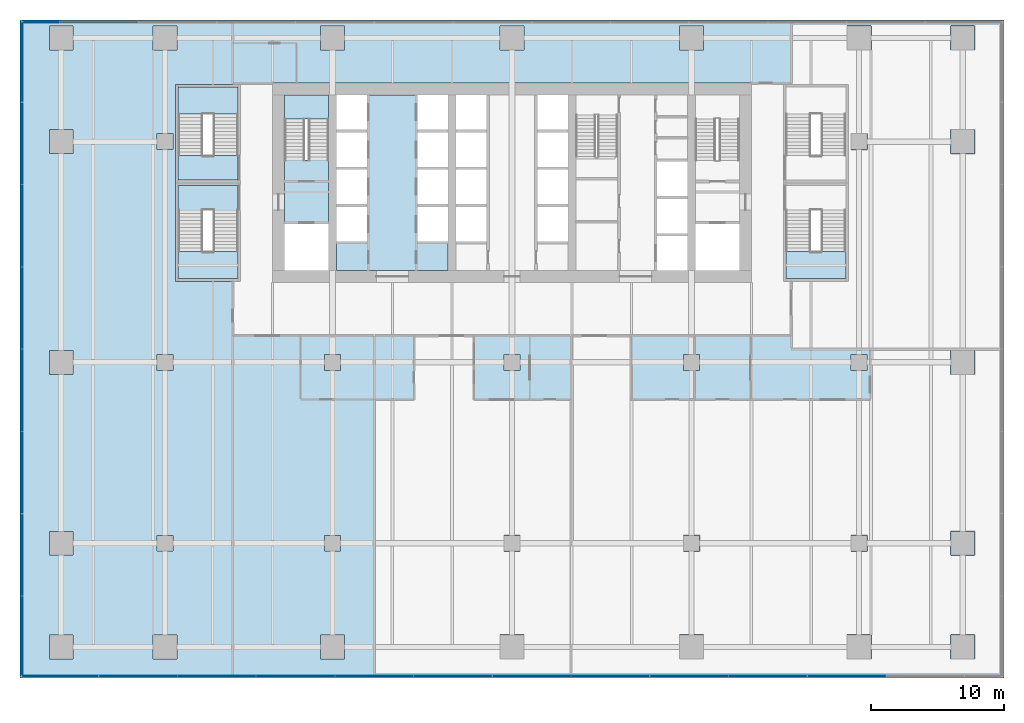
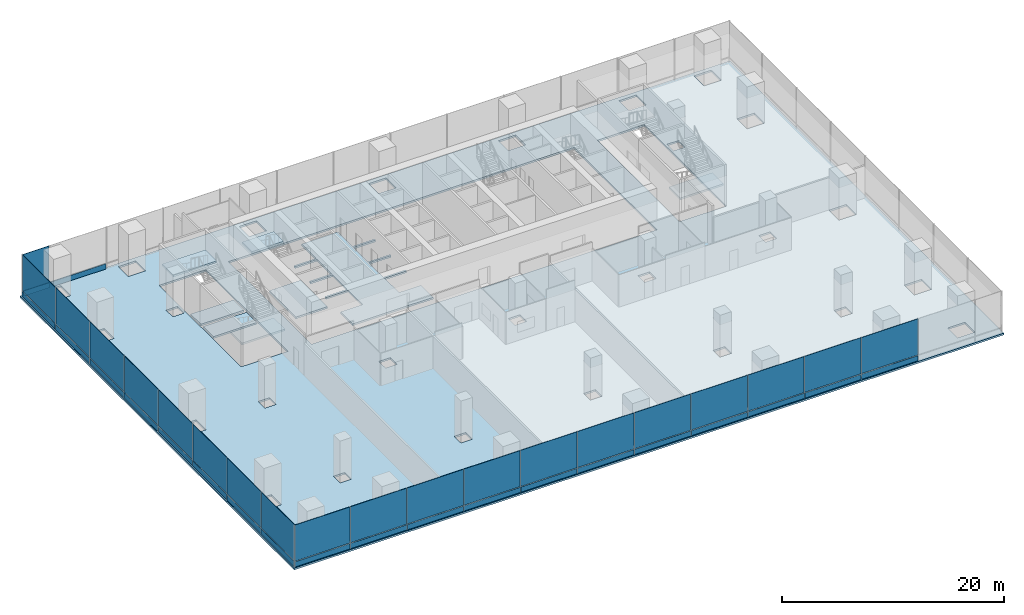
# One storey, part 17 of 29: 41 plates, 9 slabs, 7 elements without a shape of their own.
"""IFC4 building model written with IfcOpenShell, lengths in metres."""

from ifc_helpers import new_model, si_unit, direction, frame, origin, origin_2d, place, context, subcontext, project, spatial, polyline, rectangle, outline, extrude, material, layer, layer_set, type_object, element, aggregate, save


model = new_model("IFC4")

# Units and contexts
model_context = context("Model", 3, precision=1e-05, world=origin(), true_north=direction((0.0, 1.0)))
body_context = subcontext(model_context, "Body", "Model", "MODEL_VIEW")
ifc_project = project(units=[si_unit("LENGTHUNIT", "METRE"), si_unit("AREAUNIT", "SQUARE_METRE"), si_unit("VOLUMEUNIT", "CUBIC_METRE"), si_unit("PLANEANGLEUNIT", "RADIAN"), si_unit("MASSUNIT", "GRAM", prefix="KILO")], contexts=[model_context])

# Site, building, storey
site_placement = place(None, origin())
site = spatial("IfcSite", under=ifc_project, at=site_placement, CompositionType="ELEMENT")
building_placement = place(site_placement, origin())
building = spatial("IfcBuilding", under=site, at=building_placement, Name="Rattan Terrace Tower", CompositionType="ELEMENT")
storey_placement = place(building_placement, frame((0.0, 0.0, 12.60009765625)))
storey = spatial("IfcBuildingStorey", under=building, at=storey_placement, Name="L02", CompositionType="ELEMENT", Elevation=12.60009765625)

# Stair, slab
ifc_material_1 = material(Name="Concrete C40/50", Category="concrete")
stair_type_1 = type_object("IfcStairType", Name="Core exit stair 1500", PredefinedType="HALF_TURN_STAIR", material=ifc_material_1)
stair_1_placement = place(storey_placement, origin())
stair_1 = element("IfcStair", 1, at=stair_1_placement, inside=storey, type_object=stair_type_1, Name="L02 exit stair 1", PredefinedType="HALF_TURN_STAIR")
ifc_material_2 = material(Name="Concrete C40/50", Category="concrete")
ifc_layer_1 = layer(ifc_material_2, 0.199951171875)
ifc_layer_set_1 = layer_set([ifc_layer_1], Name="Core exit stair landing")
slab_type_1 = type_object("IfcSlabType", Name="Core exit stair landing", PredefinedType="LANDING", material=ifc_layer_set_1)
slab_1_placement = place(storey_placement, frame((0.0, 0.0, 2.199951171875)))
slab_1 = element("IfcSlab", 2, at=slab_1_placement, type_object=slab_type_1, Name="S1 landing 1", PredefinedType="LANDING", context=body_context, shape_type="SweptSolid", body=[
    extrude(outline(polyline([(-13.800048828125, 4.820068359375), (-13.800048828125, 6.60009765625), (-17.10009765625, 6.60009765625), (-17.10009765625, 4.820068359375), (-13.800048828125, 4.820068359375)])), origin(), (0.0, 0.0, 1.0), 0.199951171875),
])
aggregate(stair_1, [slab_1])

ifc_material_3 = material(Name="Concrete C40/50", Category="concrete")
stair_type_2 = type_object("IfcStairType", Name="Core exit stair 1850", PredefinedType="HALF_TURN_STAIR", material=ifc_material_3)
stair_2_placement = place(storey_placement, origin())
stair_2 = element("IfcStair", 3, at=stair_2_placement, inside=storey, type_object=stair_type_2, Name="L02 exit stair 4", PredefinedType="HALF_TURN_STAIR")
slab_2_placement = place(storey_placement, frame((0.0, 0.0, 2.199951171875)))
slab_2 = element("IfcSlab", 4, at=slab_2_placement, type_object=slab_type_1, Name="S4 landing 1", PredefinedType="LANDING", context=body_context, shape_type="SweptSolid", body=[
    extrude(outline(polyline([(-25.10009765625, -5.169921875), (-25.10009765625, -7.199951171875), (-20.60009765625, -7.199951171875), (-20.60009765625, -5.169921875), (-25.10009765625, -5.169921875)])), origin(), (0.0, 0.0, 1.0), 0.199951171875),
])
aggregate(stair_2, [slab_2])

stair_3_placement = place(storey_placement, origin())
stair_3 = element("IfcStair", 5, at=stair_3_placement, inside=storey, type_object=stair_type_2, Name="L02 exit stair 5", PredefinedType="HALF_TURN_STAIR")
slab_3_placement = place(storey_placement, frame((0.0, 0.0, 2.199951171875)))
slab_3 = element("IfcSlab", 6, at=slab_3_placement, type_object=slab_type_1, Name="S5 landing 1", PredefinedType="LANDING", context=body_context, shape_type="SweptSolid", body=[
    extrude(outline(polyline([(-20.60009765625, 5.169921875), (-20.60009765625, 7.199951171875), (-25.10009765625, 7.199951171875), (-25.10009765625, 5.169921875), (-20.60009765625, 5.169921875)])), origin(), (0.0, 0.0, 1.0), 0.199951171875),
])
aggregate(stair_3, [slab_3])

stair_4_placement = place(storey_placement, origin())
stair_4 = element("IfcStair", 7, at=stair_4_placement, inside=storey, type_object=stair_type_2, Name="L02 exit stair 6", PredefinedType="HALF_TURN_STAIR")
slab_4_placement = place(storey_placement, frame((0.0, 0.0, 2.199951171875)))
slab_4 = element("IfcSlab", 8, at=slab_4_placement, type_object=slab_type_1, Name="S6 landing 1", PredefinedType="LANDING", context=body_context, shape_type="SweptSolid", body=[
    extrude(outline(polyline([(20.60009765625, -5.169921875), (20.60009765625, -7.199951171875), (25.10009765625, -7.199951171875), (25.10009765625, -5.169921875), (20.60009765625, -5.169921875)])), origin(), (0.0, 0.0, 1.0), 0.199951171875),
])
aggregate(stair_4, [slab_4])

# Slabs
ifc_material_4 = material(Name="Concrete C35/45", Category="concrete")
ifc_layer_2 = layer(ifc_material_4, 0.199951171875)
ifc_layer_set_2 = layer_set([ifc_layer_2], Name="Frame composite floor slab 200")
slab_type_2 = type_object("IfcSlabType", Name="Frame composite floor slab 200", PredefinedType="FLOOR", material=ifc_layer_set_2)
slab_5_placement = place(storey_placement, frame((0.0, 0.0, -0.2001953125)))
element("IfcSlab", 9, at=slab_5_placement, inside=storey, type_object=slab_type_2, Name="Floor slab", PredefinedType="FLOOR", context=body_context, shape_type="SweptSolid", body=[
    extrude(outline(polyline([(-37.0, -37.25), (37.0, -37.25), (37.0, 12.25), (-37.0, 12.25), (-37.0, -37.25)]), holes=[polyline([(-34.800048828125, -34.0), (-34.800048828125, -35.800048828125), (-33.0, -35.800048828125), (-33.0, -34.0), (-34.800048828125, -34.0)]), polyline([(-14.39990234375, -34.0), (-14.39990234375, -35.800048828125), (-12.60009765625, -35.800048828125), (-12.60009765625, -34.0), (-14.39990234375, -34.0)]), polyline([(-27.0, -34.0), (-27.0, -35.800048828125), (-25.199951171875, -35.800048828125), (-25.199951171875, -34.0), (-27.0, -34.0)]), polyline([(-12.89990234375, -26.5), (-14.10009765625, -26.5), (-14.10009765625, -27.699951171875), (-12.89990234375, -27.699951171875), (-12.89990234375, -26.5)]), polyline([(-25.5, -26.5), (-26.699951171875, -26.5), (-26.699951171875, -27.699951171875), (-25.5, -27.699951171875), (-25.5, -26.5)]), polyline([(-34.800048828125, -28.0), (-33.0, -28.0), (-33.0, -26.199951171875), (-34.800048828125, -26.199951171875), (-34.800048828125, -28.0)]), polyline([(-34.800048828125, -14.39990234375), (-33.0, -14.39990234375), (-33.0, -12.60009765625), (-34.800048828125, -12.60009765625), (-34.800048828125, -14.39990234375)]), polyline([(-14.10009765625, -12.89990234375), (-14.10009765625, -14.10009765625), (-12.89990234375, -14.10009765625), (-12.89990234375, -12.89990234375), (-14.10009765625, -12.89990234375)]), polyline([(-25.5, -12.89990234375), (-26.699951171875, -12.89990234375), (-26.699951171875, -14.10009765625), (-25.5, -14.10009765625), (-25.5, -12.89990234375)]), polyline([(-25.10009765625, -7.39990234375), (-20.60009765625, -7.39990234375), (-20.60009765625, -7.39990234375), (-20.39990234375, -7.39990234375), (-20.39990234375, 0.0), (-20.39990234375, 7.39990234375), (-20.60009765625, 7.39990234375), (-20.60009765625, 7.39990234375), (-25.10009765625, 7.39990234375), (-25.10009765625, 7.39990234375), (-25.300048828125, 7.39990234375), (-25.300048828125, 0.0), (-25.300048828125, -7.39990234375), (-25.10009765625, -7.39990234375), (-25.10009765625, -7.39990234375)]), polyline([(18.0, -6.60009765625), (18.0, 6.60009765625), (18.0, 7.5), (-18.0, 7.5), (-18.0, 6.60009765625), (-18.0, -6.60009765625), (-18.0, -7.5), (18.0, -7.5), (18.0, -6.60009765625)]), polyline([(-26.699951171875, 3.699951171875), (-26.699951171875, 2.5), (-25.5, 2.5), (-25.5, 3.699951171875), (-26.699951171875, 3.699951171875)]), polyline([(-34.800048828125, 4.0), (-34.800048828125, 2.199951171875), (-33.0, 2.199951171875), (-33.0, 4.0), (-34.800048828125, 4.0)]), polyline([(-25.199951171875, 11.800048828125), (-27.0, 11.800048828125), (-27.0, 10.0), (-25.199951171875, 10.0), (-25.199951171875, 11.800048828125)]), polyline([(-14.39990234375, 11.800048828125), (-14.39990234375, 10.0), (-12.60009765625, 10.0), (-12.60009765625, 11.800048828125), (-14.39990234375, 11.800048828125)]), polyline([(-34.800048828125, 11.800048828125), (-34.800048828125, 10.0), (-33.0, 10.0), (-33.0, 11.800048828125), (-34.800048828125, 11.800048828125)]), polyline([(-0.89990234375, -34.0), (-0.89990234375, -35.800048828125), (0.89990234375, -35.800048828125), (0.89990234375, -34.0), (-0.89990234375, -34.0)]), polyline([(0.60009765625, -26.5), (-0.60009765625, -26.5), (-0.60009765625, -27.699951171875), (0.60009765625, -27.699951171875), (0.60009765625, -26.5)]), polyline([(0.60009765625, -12.89990234375), (-0.60009765625, -12.89990234375), (-0.60009765625, -14.10009765625), (0.60009765625, -14.10009765625), (0.60009765625, -12.89990234375)]), polyline([(0.89990234375, 11.800048828125), (-0.89990234375, 11.800048828125), (-0.89990234375, 10.0), (0.89990234375, 10.0), (0.89990234375, 11.800048828125)]), polyline([(34.800048828125, -34.0), (33.0, -34.0), (33.0, -35.800048828125), (34.800048828125, -35.800048828125), (34.800048828125, -34.0)]), polyline([(25.199951171875, -34.0), (25.199951171875, -35.800048828125), (27.0, -35.800048828125), (27.0, -34.0), (25.199951171875, -34.0)]), polyline([(14.39990234375, -34.0), (12.60009765625, -34.0), (12.60009765625, -35.800048828125), (14.39990234375, -35.800048828125), (14.39990234375, -34.0)]), polyline([(14.10009765625, -26.5), (12.89990234375, -26.5), (12.89990234375, -27.699951171875), (14.10009765625, -27.699951171875), (14.10009765625, -26.5)]), polyline([(33.0, -28.0), (34.800048828125, -28.0), (34.800048828125, -26.199951171875), (33.0, -26.199951171875), (33.0, -28.0)]), polyline([(26.699951171875, -26.5), (25.5, -26.5), (25.5, -27.699951171875), (26.699951171875, -27.699951171875), (26.699951171875, -26.5)]), polyline([(33.0, -12.60009765625), (33.0, -14.39990234375), (34.800048828125, -14.39990234375), (34.800048828125, -12.60009765625), (33.0, -12.60009765625)]), polyline([(12.89990234375, -12.89990234375), (12.89990234375, -14.10009765625), (14.10009765625, -14.10009765625), (14.10009765625, -12.89990234375), (12.89990234375, -12.89990234375)]), polyline([(25.5, -12.89990234375), (25.5, -14.10009765625), (26.699951171875, -14.10009765625), (26.699951171875, -12.89990234375), (25.5, -12.89990234375)]), polyline([(20.60009765625, -7.39990234375), (20.60009765625, -7.39990234375), (25.10009765625, -7.39990234375), (25.10009765625, -7.39990234375), (25.300048828125, -7.39990234375), (25.300048828125, 0.0), (25.300048828125, 7.39990234375), (25.10009765625, 7.39990234375), (25.10009765625, 7.39990234375), (20.60009765625, 7.39990234375), (20.60009765625, 7.39990234375), (20.39990234375, 7.39990234375), (20.39990234375, 0.0), (20.39990234375, -7.39990234375), (20.60009765625, -7.39990234375)]), polyline([(25.5, 3.699951171875), (25.5, 2.5), (26.699951171875, 2.5), (26.699951171875, 3.699951171875), (25.5, 3.699951171875)]), polyline([(33.0, 2.199951171875), (34.800048828125, 2.199951171875), (34.800048828125, 4.0), (33.0, 4.0), (33.0, 2.199951171875)]), polyline([(25.199951171875, 11.800048828125), (25.199951171875, 10.0), (27.0, 10.0), (27.0, 11.800048828125), (25.199951171875, 11.800048828125)]), polyline([(34.800048828125, 11.800048828125), (33.0, 11.800048828125), (33.0, 10.0), (34.800048828125, 10.0), (34.800048828125, 11.800048828125)]), polyline([(14.39990234375, 11.800048828125), (12.60009765625, 11.800048828125), (12.60009765625, 10.0), (14.39990234375, 10.0), (14.39990234375, 11.800048828125)])]), origin(), (0.0, 0.0, 1.0), 0.2001953125),
])
slab_6_placement = place(storey_placement, frame((0.0, 0.0, -0.2001953125)))
element("IfcSlab", 10, at=slab_6_placement, inside=storey, type_object=slab_type_2, Name="Floor slab", PredefinedType="FLOOR", context=body_context, shape_type="SweptSolid", body=[
    extrude(outline(polyline([(-20.60009765625, 0.199951171875), (-20.60009765625, 2.06005859375), (-25.10009765625, 2.06005859375), (-25.10009765625, 0.199951171875), (-20.60009765625, 0.199951171875)])), origin(), (0.0, 0.0, 1.0), 0.2001953125),
])
slab_7_placement = place(storey_placement, frame((0.0, 0.0, -0.2001953125)))
element("IfcSlab", 11, at=slab_7_placement, inside=storey, type_object=slab_type_2, Name="Floor slab", PredefinedType="FLOOR", context=body_context, shape_type="SweptSolid", body=[
    extrude(outline(polyline([(-25.10009765625, -2.06005859375), (-20.60009765625, -2.06005859375), (-20.60009765625, -0.199951171875), (-25.10009765625, -0.199951171875), (-25.10009765625, -2.06005859375)])), origin(), (0.0, 0.0, 1.0), 0.2001953125),
])
slab_8_placement = place(storey_placement, frame((0.0, 0.0, -0.2001953125)))
element("IfcSlab", 12, at=slab_8_placement, inside=storey, type_object=slab_type_2, Name="Floor slab", PredefinedType="FLOOR", context=body_context, shape_type="SweptSolid", body=[
    extrude(outline(polyline([(-13.199951171875, 4.0), (-13.199951171875, 3.800048828125), (-10.89990234375, 3.800048828125), (-10.89990234375, 1.199951171875), (-13.199951171875, 1.199951171875), (-13.199951171875, 1.0), (-10.89990234375, 1.0), (-10.89990234375, -1.60009765625), (-13.199951171875, -1.60009765625), (-13.199951171875, -1.800048828125), (-10.89990234375, -1.800048828125), (-10.89990234375, -4.39990234375), (-13.199951171875, -4.39990234375), (-13.199951171875, -6.60009765625), (-4.800048828125, -6.60009765625), (-4.800048828125, -4.39990234375), (-7.10009765625, -4.39990234375), (-7.10009765625, -1.800048828125), (-4.800048828125, -1.800048828125), (-4.800048828125, -1.60009765625), (-7.10009765625, -1.60009765625), (-7.10009765625, 1.0), (-4.800048828125, 1.0), (-4.800048828125, 1.199951171875), (-7.10009765625, 1.199951171875), (-7.10009765625, 3.800048828125), (-4.800048828125, 3.800048828125), (-4.800048828125, 4.0), (-7.10009765625, 4.0), (-7.10009765625, 6.60009765625), (-10.89990234375, 6.60009765625), (-10.89990234375, 4.0), (-13.199951171875, 4.0)])), origin(), (0.0, 0.0, 1.0), 0.2001953125),
])
slab_9_placement = place(storey_placement, frame((0.0, 0.0, -0.2001953125)))
element("IfcSlab", 13, at=slab_9_placement, inside=storey, type_object=slab_type_2, Name="Floor slab", PredefinedType="FLOOR", context=body_context, shape_type="SweptSolid", body=[
    extrude(outline(polyline([(-17.10009765625, -3.10009765625), (-13.800048828125, -3.10009765625), (-13.800048828125, 1.7099609375), (-17.10009765625, 1.7099609375), (-17.10009765625, -3.10009765625)])), origin(), (0.0, 0.0, 1.0), 0.2001953125),
])

# Curtain wall, plates
ifc_material_5 = material(Name="Aluminium and glass", Category="aluminium")
ifc_layer_3 = layer(ifc_material_5, 0.1201171875)
ifc_layer_set_3 = layer_set([ifc_layer_3], Name="Station Storefront Curtain Wall")
curtain_wall_type = type_object("IfcCurtainWallType", Name="Station Storefront Curtain Wall", PredefinedType="NOTDEFINED", material=ifc_layer_set_3)
curtain_wall_1_placement = place(storey_placement, origin())
curtain_wall_1 = element("IfcCurtainWall", 14, at=curtain_wall_1_placement, inside=storey, type_object=curtain_wall_type, Name="Storefront curtain wall L02-2", PredefinedType="NOTDEFINED")
ifc_material_6 = material(Name="Granite bulkhead panel", Category="masonry")
ifc_layer_4 = layer(ifc_material_6, 0.110107421875)
ifc_layer_set_4 = layer_set([ifc_layer_4], Name="Storefront CW Stone Bulkhead Panel")
plate_type_1 = type_object("IfcPlateType", Name="Storefront CW Stone Bulkhead Panel", PredefinedType="CURTAIN_PANEL", material=ifc_layer_set_4)
plate_1_placement = place(storey_placement, frame((-31.080078125, 12.080078125, 0.0), z_axis=(0.0, 0.0, 1.0), x_axis=(-1.0, 0.0, 0.0)))
plate_1 = element("IfcPlate", 15, at=plate_1_placement, type_object=plate_type_1, Name="Panel cwl-L02-002.12.1", PredefinedType="CURTAIN_PANEL", context=body_context, shape_type="SweptSolid", body=[
    extrude(rectangle(XDim=5.8701171875, YDim=0.110107421875, at=origin_2d()), origin(), (0.0, 0.0, 1.0), 0.574951171875),
])
plate_2_placement = place(storey_placement, frame((-35.41748046875, 12.080078125, 0.0), z_axis=(0.0, 0.0, 1.0), x_axis=(-1.0, 0.0, 0.0)))
plate_2 = element("IfcPlate", 16, at=plate_2_placement, type_object=plate_type_1, Name="Panel cwl-L02-002.13.1", PredefinedType="CURTAIN_PANEL", context=body_context, shape_type="SweptSolid", body=[
    extrude(rectangle(XDim=2.705078125, YDim=0.110107421875, at=origin_2d()), origin(), (0.0, 0.0, 1.0), 0.574951171875),
])

curtain_wall_2_placement = place(storey_placement, origin())
curtain_wall_2 = element("IfcCurtainWall", 17, at=curtain_wall_2_placement, inside=storey, type_object=curtain_wall_type, Name="Storefront curtain wall L02-3", PredefinedType="NOTDEFINED")
plate_3_placement = place(storey_placement, frame((-36.830078125, 9.08837890625, 0.0), z_axis=(0.0, 0.0, 1.0), x_axis=(0.0, -1.0, 0.0)))
plate_3 = element("IfcPlate", 18, at=plate_3_placement, type_object=plate_type_1, Name="Panel cwl-L02-003.1.1", PredefinedType="CURTAIN_PANEL", context=body_context, shape_type="SweptSolid", body=[
    extrude(rectangle(XDim=6.0029296875, YDim=0.110107421875, at=origin_2d()), origin(), (0.0, 0.0, 1.0), 0.574951171875),
])
plate_4_placement = place(storey_placement, frame((-36.830078125, 2.968017578125, 0.0), z_axis=(0.0, 0.0, 1.0), x_axis=(0.0, -1.0, 0.0)))
plate_4 = element("IfcPlate", 19, at=plate_4_placement, type_object=plate_type_1, Name="Panel cwl-L02-003.2.1", PredefinedType="CURTAIN_PANEL", context=body_context, shape_type="SweptSolid", body=[
    extrude(rectangle(XDim=6.137939453125, YDim=0.110107421875, at=origin_2d()), origin(), (0.0, 0.0, 1.0), 0.574951171875),
])
plate_5_placement = place(storey_placement, frame((-36.830078125, -3.219970703125, 0.0), z_axis=(0.0, 0.0, 1.0), x_axis=(0.0, -1.0, 0.0)))
plate_5 = element("IfcPlate", 20, at=plate_5_placement, type_object=plate_type_1, Name="Panel cwl-L02-003.3.1", PredefinedType="CURTAIN_PANEL", context=body_context, shape_type="SweptSolid", body=[
    extrude(rectangle(XDim=6.137939453125, YDim=0.110107421875, at=origin_2d()), origin(), (0.0, 0.0, 1.0), 0.574951171875),
])
plate_6_placement = place(storey_placement, frame((-36.830078125, -9.407958984375, 0.0), z_axis=(0.0, 0.0, 1.0), x_axis=(0.0, -1.0, 0.0)))
plate_6 = element("IfcPlate", 21, at=plate_6_placement, type_object=plate_type_1, Name="Panel cwl-L02-003.4.1", PredefinedType="CURTAIN_PANEL", context=body_context, shape_type="SweptSolid", body=[
    extrude(rectangle(XDim=6.137939453125, YDim=0.110107421875, at=origin_2d()), origin(), (0.0, 0.0, 1.0), 0.574951171875),
])
plate_7_placement = place(storey_placement, frame((-36.830078125, -15.595947265625, 0.0), z_axis=(0.0, 0.0, 1.0), x_axis=(0.0, -1.0, 0.0)))
plate_7 = element("IfcPlate", 22, at=plate_7_placement, type_object=plate_type_1, Name="Panel cwl-L02-003.5.1", PredefinedType="CURTAIN_PANEL", context=body_context, shape_type="SweptSolid", body=[
    extrude(rectangle(XDim=6.137939453125, YDim=0.110107421875, at=origin_2d()), origin(), (0.0, 0.0, 1.0), 0.574951171875),
])
plate_8_placement = place(storey_placement, frame((-36.830078125, -21.783935546875, 0.0), z_axis=(0.0, 0.0, 1.0), x_axis=(0.0, -1.0, 0.0)))
plate_8 = element("IfcPlate", 23, at=plate_8_placement, type_object=plate_type_1, Name="Panel cwl-L02-003.6.1", PredefinedType="CURTAIN_PANEL", context=body_context, shape_type="SweptSolid", body=[
    extrude(rectangle(XDim=6.137939453125, YDim=0.110107421875, at=origin_2d()), origin(), (0.0, 0.0, 1.0), 0.574951171875),
])
plate_9_placement = place(storey_placement, frame((-36.830078125, -27.971923828125, 0.0), z_axis=(0.0, 0.0, 1.0), x_axis=(0.0, -1.0, 0.0)))
plate_9 = element("IfcPlate", 24, at=plate_9_placement, type_object=plate_type_1, Name="Panel cwl-L02-003.7.1", PredefinedType="CURTAIN_PANEL", context=body_context, shape_type="SweptSolid", body=[
    extrude(rectangle(XDim=6.137939453125, YDim=0.110107421875, at=origin_2d()), origin(), (0.0, 0.0, 1.0), 0.574951171875),
])
plate_10_placement = place(storey_placement, frame((-36.830078125, -34.055419921875, 0.0), z_axis=(0.0, 0.0, 1.0), x_axis=(0.0, -1.0, 0.0)))
plate_10 = element("IfcPlate", 25, at=plate_10_placement, type_object=plate_type_1, Name="Panel cwl-L02-003.8.1", PredefinedType="CURTAIN_PANEL", context=body_context, shape_type="SweptSolid", body=[
    extrude(rectangle(XDim=5.928955078125, YDim=0.110107421875, at=origin_2d()), origin(), (0.0, 0.0, 1.0), 0.574951171875),
])

curtain_wall_3_placement = place(storey_placement, origin())
curtain_wall_3 = element("IfcCurtainWall", 26, at=curtain_wall_3_placement, inside=storey, type_object=curtain_wall_type, Name="Storefront curtain wall L02-4", PredefinedType="NOTDEFINED")
plate_11_placement = place(storey_placement, frame((-33.972412109375, -37.080078125, 0.0), z_axis=(0.0, 0.0, 1.0), x_axis=(1.0, 0.0, 0.0)))
plate_11 = element("IfcPlate", 27, at=plate_11_placement, type_object=plate_type_1, Name="Panel cwl-L02-004.1.1", PredefinedType="CURTAIN_PANEL", context=body_context, shape_type="SweptSolid", body=[
    extrude(rectangle(XDim=5.735107421875, YDim=0.110107421875, at=origin_2d()), origin(), (0.0, 0.0, 1.0), 0.574951171875),
])
plate_12_placement = place(storey_placement, frame((-28.1201171875, -37.080078125, 0.0), z_axis=(0.0, 0.0, 1.0), x_axis=(1.0, 0.0, 0.0)))
plate_12 = element("IfcPlate", 28, at=plate_12_placement, type_object=plate_type_1, Name="Panel cwl-L02-004.2.1", PredefinedType="CURTAIN_PANEL", context=body_context, shape_type="SweptSolid", body=[
    extrude(rectangle(XDim=5.8701171875, YDim=0.110107421875, at=origin_2d()), origin(), (0.0, 0.0, 1.0), 0.574951171875),
])
plate_13_placement = place(storey_placement, frame((-22.199951171875, -37.080078125, 0.0), z_axis=(0.0, 0.0, 1.0), x_axis=(1.0, 0.0, 0.0)))
plate_13 = element("IfcPlate", 29, at=plate_13_placement, type_object=plate_type_1, Name="Panel cwl-L02-004.3.1", PredefinedType="CURTAIN_PANEL", context=body_context, shape_type="SweptSolid", body=[
    extrude(rectangle(XDim=5.8701171875, YDim=0.110107421875, at=origin_2d()), origin(), (0.0, 0.0, 1.0), 0.574951171875),
])
plate_14_placement = place(storey_placement, frame((-16.280029296875, -37.080078125, 0.0), z_axis=(0.0, 0.0, 1.0), x_axis=(1.0, 0.0, 0.0)))
plate_14 = element("IfcPlate", 30, at=plate_14_placement, type_object=plate_type_1, Name="Panel cwl-L02-004.4.1", PredefinedType="CURTAIN_PANEL", context=body_context, shape_type="SweptSolid", body=[
    extrude(rectangle(XDim=5.8701171875, YDim=0.110107421875, at=origin_2d()), origin(), (0.0, 0.0, 1.0), 0.574951171875),
])
plate_15_placement = place(storey_placement, frame((-10.360107421875, -37.080078125, 0.0), z_axis=(0.0, 0.0, 1.0), x_axis=(1.0, 0.0, 0.0)))
plate_15 = element("IfcPlate", 31, at=plate_15_placement, type_object=plate_type_1, Name="Panel cwl-L02-004.5.1", PredefinedType="CURTAIN_PANEL", context=body_context, shape_type="SweptSolid", body=[
    extrude(rectangle(XDim=5.8701171875, YDim=0.110107421875, at=origin_2d()), origin(), (0.0, 0.0, 1.0), 0.574951171875),
])
plate_16_placement = place(storey_placement, frame((-4.43994140625, -37.080078125, 0.0), z_axis=(0.0, 0.0, 1.0), x_axis=(1.0, 0.0, 0.0)))
plate_16 = element("IfcPlate", 32, at=plate_16_placement, type_object=plate_type_1, Name="Panel cwl-L02-004.6.1", PredefinedType="CURTAIN_PANEL", context=body_context, shape_type="SweptSolid", body=[
    extrude(rectangle(XDim=5.8701171875, YDim=0.110107421875, at=origin_2d()), origin(), (0.0, 0.0, 1.0), 0.574951171875),
])
plate_17_placement = place(storey_placement, frame((1.47998046875, -37.080078125, 0.0), z_axis=(0.0, 0.0, 1.0), x_axis=(1.0, 0.0, 0.0)))
plate_17 = element("IfcPlate", 33, at=plate_17_placement, type_object=plate_type_1, Name="Panel cwl-L02-004.7.1", PredefinedType="CURTAIN_PANEL", context=body_context, shape_type="SweptSolid", body=[
    extrude(rectangle(XDim=5.8701171875, YDim=0.110107421875, at=origin_2d()), origin(), (0.0, 0.0, 1.0), 0.574951171875),
])
plate_18_placement = place(storey_placement, frame((7.39990234375, -37.080078125, 0.0), z_axis=(0.0, 0.0, 1.0), x_axis=(1.0, 0.0, 0.0)))
plate_18 = element("IfcPlate", 34, at=plate_18_placement, type_object=plate_type_1, Name="Panel cwl-L02-004.8.1", PredefinedType="CURTAIN_PANEL", context=body_context, shape_type="SweptSolid", body=[
    extrude(rectangle(XDim=5.8701171875, YDim=0.110107421875, at=origin_2d()), origin(), (0.0, 0.0, 1.0), 0.574951171875),
])
plate_19_placement = place(storey_placement, frame((13.320068359375, -37.080078125, 0.0), z_axis=(0.0, 0.0, 1.0), x_axis=(1.0, 0.0, 0.0)))
plate_19 = element("IfcPlate", 35, at=plate_19_placement, type_object=plate_type_1, Name="Panel cwl-L02-004.9.1", PredefinedType="CURTAIN_PANEL", context=body_context, shape_type="SweptSolid", body=[
    extrude(rectangle(XDim=5.8701171875, YDim=0.110107421875, at=origin_2d()), origin(), (0.0, 0.0, 1.0), 0.574951171875),
])
plate_20_placement = place(storey_placement, frame((19.239990234375, -37.080078125, 0.0), z_axis=(0.0, 0.0, 1.0), x_axis=(1.0, 0.0, 0.0)))
plate_20 = element("IfcPlate", 36, at=plate_20_placement, type_object=plate_type_1, Name="Panel cwl-L02-004.10.1", PredefinedType="CURTAIN_PANEL", context=body_context, shape_type="SweptSolid", body=[
    extrude(rectangle(XDim=5.8701171875, YDim=0.110107421875, at=origin_2d()), origin(), (0.0, 0.0, 1.0), 0.574951171875),
])
plate_21_placement = place(storey_placement, frame((25.159912109375, -37.080078125, 0.0), z_axis=(0.0, 0.0, 1.0), x_axis=(1.0, 0.0, 0.0)))
plate_21 = element("IfcPlate", 37, at=plate_21_placement, type_object=plate_type_1, Name="Panel cwl-L02-004.11.1", PredefinedType="CURTAIN_PANEL", context=body_context, shape_type="SweptSolid", body=[
    extrude(rectangle(XDim=5.8701171875, YDim=0.110107421875, at=origin_2d()), origin(), (0.0, 0.0, 1.0), 0.574951171875),
])

# Plate
ifc_material_7 = material(Name="Clear toughened glass", Category="glass")
ifc_layer_5 = layer(ifc_material_7, 0.0439453125)
ifc_layer_set_5 = layer_set([ifc_layer_5], Name="Storefront CW Vision Panel")
plate_type_2 = type_object("IfcPlateType", Name="Storefront CW Vision Panel", PredefinedType="CURTAIN_PANEL", material=ifc_layer_set_5)
plate_22_placement = place(storey_placement, frame((-35.41748046875, 12.080078125, 0.624755859375), z_axis=(0.0, 0.0, 1.0), x_axis=(-1.0, 0.0, 0.0)))
plate_22 = element("IfcPlate", 38, at=plate_22_placement, type_object=plate_type_2, Name="Panel cwl-L02-002.13.2", PredefinedType="CURTAIN_PANEL", context=body_context, shape_type="SweptSolid", body=[
    extrude(rectangle(XDim=2.705078125, YDim=0.0439453125, at=origin_2d()), origin(), (0.0, 0.0, 1.0), 3.97509765625),
])

aggregate(curtain_wall_1, [plate_1, plate_2, plate_22])

plate_23_placement = place(storey_placement, frame((-36.830078125, 9.08837890625, 0.624755859375), z_axis=(0.0, 0.0, 1.0), x_axis=(0.0, -1.0, 0.0)))
plate_23 = element("IfcPlate", 39, at=plate_23_placement, type_object=plate_type_2, Name="Panel cwl-L02-003.1.2", PredefinedType="CURTAIN_PANEL", context=body_context, shape_type="SweptSolid", body=[
    extrude(rectangle(XDim=6.0029296875, YDim=0.0439453125, at=origin_2d()), origin(), (0.0, 0.0, 1.0), 3.97509765625),
])

plate_24_placement = place(storey_placement, frame((-36.830078125, 2.968017578125, 0.624755859375), z_axis=(0.0, 0.0, 1.0), x_axis=(0.0, -1.0, 0.0)))
plate_24 = element("IfcPlate", 40, at=plate_24_placement, type_object=plate_type_2, Name="Panel cwl-L02-003.2.2", PredefinedType="CURTAIN_PANEL", context=body_context, shape_type="SweptSolid", body=[
    extrude(rectangle(XDim=6.137939453125, YDim=0.0439453125, at=origin_2d()), origin(), (0.0, 0.0, 1.0), 3.97509765625),
])

plate_25_placement = place(storey_placement, frame((-36.830078125, -3.219970703125, 0.624755859375), z_axis=(0.0, 0.0, 1.0), x_axis=(0.0, -1.0, 0.0)))
plate_25 = element("IfcPlate", 41, at=plate_25_placement, type_object=plate_type_2, Name="Panel cwl-L02-003.3.2", PredefinedType="CURTAIN_PANEL", context=body_context, shape_type="SweptSolid", body=[
    extrude(rectangle(XDim=6.137939453125, YDim=0.0439453125, at=origin_2d()), origin(), (0.0, 0.0, 1.0), 3.97509765625),
])

plate_26_placement = place(storey_placement, frame((-36.830078125, -9.407958984375, 0.624755859375), z_axis=(0.0, 0.0, 1.0), x_axis=(0.0, -1.0, 0.0)))
plate_26 = element("IfcPlate", 42, at=plate_26_placement, type_object=plate_type_2, Name="Panel cwl-L02-003.4.2", PredefinedType="CURTAIN_PANEL", context=body_context, shape_type="SweptSolid", body=[
    extrude(rectangle(XDim=6.137939453125, YDim=0.0439453125, at=origin_2d()), origin(), (0.0, 0.0, 1.0), 3.97509765625),
])

plate_27_placement = place(storey_placement, frame((-36.830078125, -15.595947265625, 0.624755859375), z_axis=(0.0, 0.0, 1.0), x_axis=(0.0, -1.0, 0.0)))
plate_27 = element("IfcPlate", 43, at=plate_27_placement, type_object=plate_type_2, Name="Panel cwl-L02-003.5.2", PredefinedType="CURTAIN_PANEL", context=body_context, shape_type="SweptSolid", body=[
    extrude(rectangle(XDim=6.137939453125, YDim=0.0439453125, at=origin_2d()), origin(), (0.0, 0.0, 1.0), 3.97509765625),
])

plate_28_placement = place(storey_placement, frame((-36.830078125, -21.783935546875, 0.624755859375), z_axis=(0.0, 0.0, 1.0), x_axis=(0.0, -1.0, 0.0)))
plate_28 = element("IfcPlate", 44, at=plate_28_placement, type_object=plate_type_2, Name="Panel cwl-L02-003.6.2", PredefinedType="CURTAIN_PANEL", context=body_context, shape_type="SweptSolid", body=[
    extrude(rectangle(XDim=6.137939453125, YDim=0.0439453125, at=origin_2d()), origin(), (0.0, 0.0, 1.0), 3.97509765625),
])

plate_29_placement = place(storey_placement, frame((-36.830078125, -27.971923828125, 0.624755859375), z_axis=(0.0, 0.0, 1.0), x_axis=(0.0, -1.0, 0.0)))
plate_29 = element("IfcPlate", 45, at=plate_29_placement, type_object=plate_type_2, Name="Panel cwl-L02-003.7.2", PredefinedType="CURTAIN_PANEL", context=body_context, shape_type="SweptSolid", body=[
    extrude(rectangle(XDim=6.137939453125, YDim=0.0439453125, at=origin_2d()), origin(), (0.0, 0.0, 1.0), 3.97509765625),
])

plate_30_placement = place(storey_placement, frame((-36.830078125, -34.055419921875, 0.624755859375), z_axis=(0.0, 0.0, 1.0), x_axis=(0.0, -1.0, 0.0)))
plate_30 = element("IfcPlate", 46, at=plate_30_placement, type_object=plate_type_2, Name="Panel cwl-L02-003.8.2", PredefinedType="CURTAIN_PANEL", context=body_context, shape_type="SweptSolid", body=[
    extrude(rectangle(XDim=5.928955078125, YDim=0.0439453125, at=origin_2d()), origin(), (0.0, 0.0, 1.0), 3.97509765625),
])

aggregate(curtain_wall_2, [plate_3, plate_23, plate_4, plate_24, plate_5, plate_25, plate_6, plate_26, plate_7, plate_27, plate_8, plate_28, plate_9, plate_29, plate_10, plate_30])

plate_31_placement = place(storey_placement, frame((-33.972412109375, -37.080078125, 0.624755859375), z_axis=(0.0, 0.0, 1.0), x_axis=(1.0, 0.0, 0.0)))
plate_31 = element("IfcPlate", 47, at=plate_31_placement, type_object=plate_type_2, Name="Panel cwl-L02-004.1.2", PredefinedType="CURTAIN_PANEL", context=body_context, shape_type="SweptSolid", body=[
    extrude(rectangle(XDim=5.735107421875, YDim=0.0439453125, at=origin_2d()), origin(), (0.0, 0.0, 1.0), 3.97509765625),
])

plate_32_placement = place(storey_placement, frame((-28.1201171875, -37.080078125, 0.624755859375), z_axis=(0.0, 0.0, 1.0), x_axis=(1.0, 0.0, 0.0)))
plate_32 = element("IfcPlate", 48, at=plate_32_placement, type_object=plate_type_2, Name="Panel cwl-L02-004.2.2", PredefinedType="CURTAIN_PANEL", context=body_context, shape_type="SweptSolid", body=[
    extrude(rectangle(XDim=5.8701171875, YDim=0.0439453125, at=origin_2d()), origin(), (0.0, 0.0, 1.0), 3.97509765625),
])

plate_33_placement = place(storey_placement, frame((-22.199951171875, -37.080078125, 0.624755859375), z_axis=(0.0, 0.0, 1.0), x_axis=(1.0, 0.0, 0.0)))
plate_33 = element("IfcPlate", 49, at=plate_33_placement, type_object=plate_type_2, Name="Panel cwl-L02-004.3.2", PredefinedType="CURTAIN_PANEL", context=body_context, shape_type="SweptSolid", body=[
    extrude(rectangle(XDim=5.8701171875, YDim=0.0439453125, at=origin_2d()), origin(), (0.0, 0.0, 1.0), 3.97509765625),
])

plate_34_placement = place(storey_placement, frame((-16.280029296875, -37.080078125, 0.624755859375), z_axis=(0.0, 0.0, 1.0), x_axis=(1.0, 0.0, 0.0)))
plate_34 = element("IfcPlate", 50, at=plate_34_placement, type_object=plate_type_2, Name="Panel cwl-L02-004.4.2", PredefinedType="CURTAIN_PANEL", context=body_context, shape_type="SweptSolid", body=[
    extrude(rectangle(XDim=5.8701171875, YDim=0.0439453125, at=origin_2d()), origin(), (0.0, 0.0, 1.0), 3.97509765625),
])

plate_35_placement = place(storey_placement, frame((-10.360107421875, -37.080078125, 0.624755859375), z_axis=(0.0, 0.0, 1.0), x_axis=(1.0, 0.0, 0.0)))
plate_35 = element("IfcPlate", 51, at=plate_35_placement, type_object=plate_type_2, Name="Panel cwl-L02-004.5.2", PredefinedType="CURTAIN_PANEL", context=body_context, shape_type="SweptSolid", body=[
    extrude(rectangle(XDim=5.8701171875, YDim=0.0439453125, at=origin_2d()), origin(), (0.0, 0.0, 1.0), 3.97509765625),
])

plate_36_placement = place(storey_placement, frame((-4.43994140625, -37.080078125, 0.624755859375), z_axis=(0.0, 0.0, 1.0), x_axis=(1.0, 0.0, 0.0)))
plate_36 = element("IfcPlate", 52, at=plate_36_placement, type_object=plate_type_2, Name="Panel cwl-L02-004.6.2", PredefinedType="CURTAIN_PANEL", context=body_context, shape_type="SweptSolid", body=[
    extrude(rectangle(XDim=5.8701171875, YDim=0.0439453125, at=origin_2d()), origin(), (0.0, 0.0, 1.0), 3.97509765625),
])

plate_37_placement = place(storey_placement, frame((1.47998046875, -37.080078125, 0.624755859375), z_axis=(0.0, 0.0, 1.0), x_axis=(1.0, 0.0, 0.0)))
plate_37 = element("IfcPlate", 53, at=plate_37_placement, type_object=plate_type_2, Name="Panel cwl-L02-004.7.2", PredefinedType="CURTAIN_PANEL", context=body_context, shape_type="SweptSolid", body=[
    extrude(rectangle(XDim=5.8701171875, YDim=0.0439453125, at=origin_2d()), origin(), (0.0, 0.0, 1.0), 3.97509765625),
])

plate_38_placement = place(storey_placement, frame((7.39990234375, -37.080078125, 0.624755859375), z_axis=(0.0, 0.0, 1.0), x_axis=(1.0, 0.0, 0.0)))
plate_38 = element("IfcPlate", 54, at=plate_38_placement, type_object=plate_type_2, Name="Panel cwl-L02-004.8.2", PredefinedType="CURTAIN_PANEL", context=body_context, shape_type="SweptSolid", body=[
    extrude(rectangle(XDim=5.8701171875, YDim=0.0439453125, at=origin_2d()), origin(), (0.0, 0.0, 1.0), 3.97509765625),
])

plate_39_placement = place(storey_placement, frame((13.320068359375, -37.080078125, 0.624755859375), z_axis=(0.0, 0.0, 1.0), x_axis=(1.0, 0.0, 0.0)))
plate_39 = element("IfcPlate", 55, at=plate_39_placement, type_object=plate_type_2, Name="Panel cwl-L02-004.9.2", PredefinedType="CURTAIN_PANEL", context=body_context, shape_type="SweptSolid", body=[
    extrude(rectangle(XDim=5.8701171875, YDim=0.0439453125, at=origin_2d()), origin(), (0.0, 0.0, 1.0), 3.97509765625),
])

plate_40_placement = place(storey_placement, frame((19.239990234375, -37.080078125, 0.624755859375), z_axis=(0.0, 0.0, 1.0), x_axis=(1.0, 0.0, 0.0)))
plate_40 = element("IfcPlate", 56, at=plate_40_placement, type_object=plate_type_2, Name="Panel cwl-L02-004.10.2", PredefinedType="CURTAIN_PANEL", context=body_context, shape_type="SweptSolid", body=[
    extrude(rectangle(XDim=5.8701171875, YDim=0.0439453125, at=origin_2d()), origin(), (0.0, 0.0, 1.0), 3.97509765625),
])

plate_41_placement = place(storey_placement, frame((25.159912109375, -37.080078125, 0.624755859375), z_axis=(0.0, 0.0, 1.0), x_axis=(1.0, 0.0, 0.0)))
plate_41 = element("IfcPlate", 57, at=plate_41_placement, type_object=plate_type_2, Name="Panel cwl-L02-004.11.2", PredefinedType="CURTAIN_PANEL", context=body_context, shape_type="SweptSolid", body=[
    extrude(rectangle(XDim=5.8701171875, YDim=0.0439453125, at=origin_2d()), origin(), (0.0, 0.0, 1.0), 3.97509765625),
])

aggregate(curtain_wall_3, [plate_11, plate_31, plate_12, plate_32, plate_13, plate_33, plate_14, plate_34, plate_15, plate_35, plate_16, plate_36, plate_17, plate_37, plate_18, plate_38, plate_19, plate_39, plate_20, plate_40, plate_21, plate_41])

save(model, "model.ifc")
